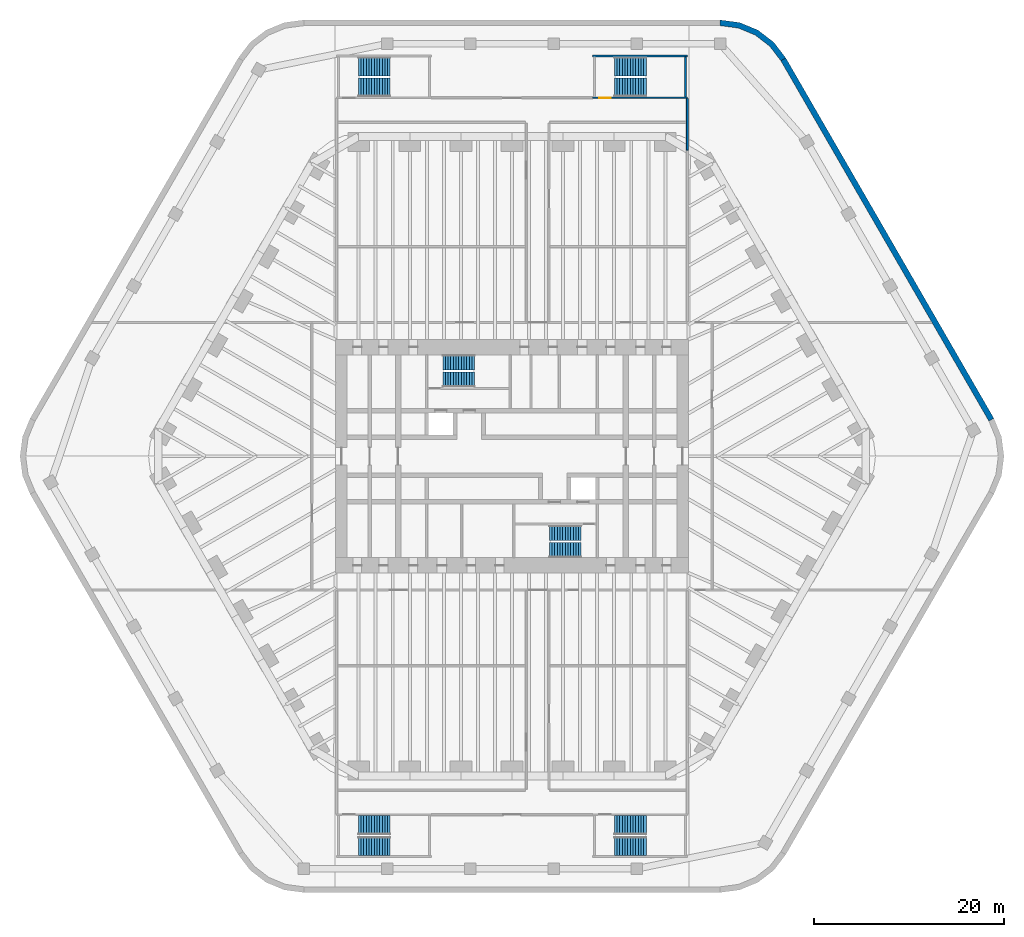
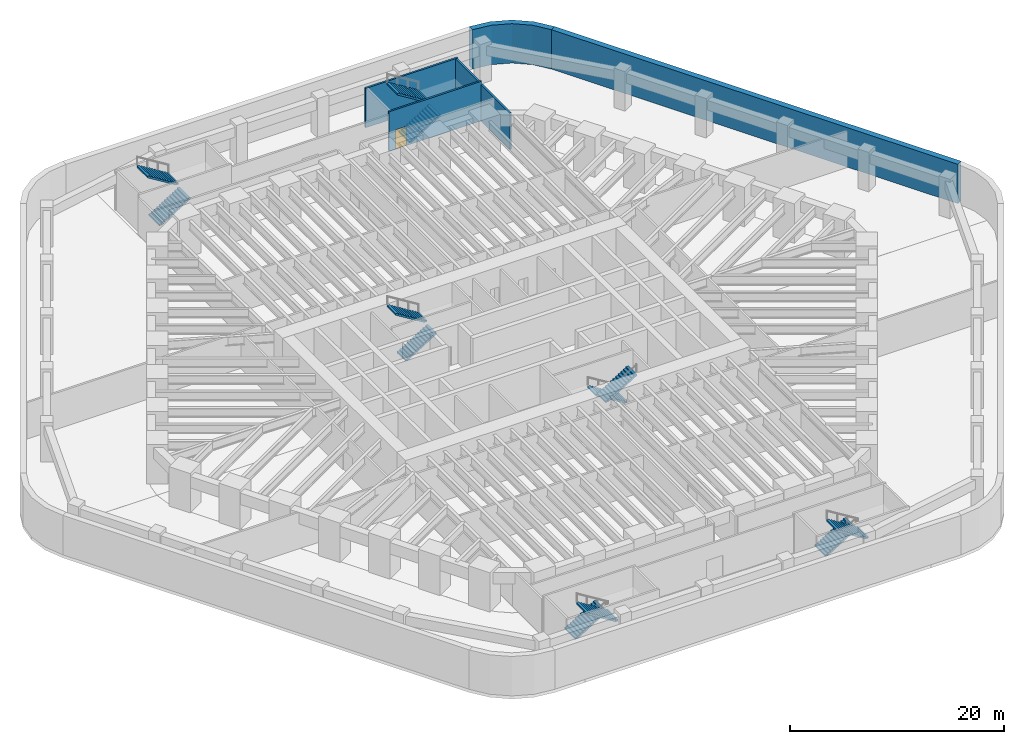
# One storey, part 11 of 12: 12 stair flights, 6 walls, 1 door, 1 opening, 6 elements without a shape of their own.
"""IFC4 building model written with IfcOpenShell, lengths in metres."""

from ifc_helpers import new_model, si_unit, direction, frame, frame_2d, origin, place, context, subcontext, project, spatial, polyline, rectangle, outline, extrude, material, layer, layer_set, type_object, element, fill, aggregate, save


model = new_model("IFC4")

# Units and contexts
model_context = context("Model", 3, precision=1e-05, world=origin(), true_north=direction((0.0, 1.0)))
body_context = subcontext(model_context, "Body", "Model", "MODEL_VIEW")
ifc_project = project(units=[si_unit("LENGTHUNIT", "METRE"), si_unit("AREAUNIT", "SQUARE_METRE"), si_unit("VOLUMEUNIT", "CUBIC_METRE"), si_unit("PLANEANGLEUNIT", "RADIAN"), si_unit("MASSUNIT", "GRAM", prefix="KILO")], contexts=[model_context])

# Site, building, storey
site_placement = place(None, origin())
site = spatial("IfcSite", under=ifc_project, at=site_placement, CompositionType="ELEMENT")
building_placement = place(site_placement, origin())
building = spatial("IfcBuilding", under=site, at=building_placement, Name="Tarfa Lantern Tower", CompositionType="ELEMENT")
storey_placement = place(building_placement, frame((0.0, 0.0, -4.5)))
storey = spatial("IfcBuildingStorey", under=building, at=storey_placement, Name="B1", CompositionType="ELEMENT", Elevation=-4.5)

# Walls
ifc_material_1 = material(Name="Concrete blockwork", Category="masonry")
ifc_layer_1 = layer(ifc_material_1, 0.199951171875)
ifc_layer_set_1 = layer_set([ifc_layer_1], Name="IW1 BLOCKWORK PARTITION 200 EI 120")
wall_type_1 = type_object("IfcWallType", Name="IW1 BLOCKWORK PARTITION 200 EI 120", PredefinedType="PARTITIONING", material=ifc_layer_set_1)
wall_1_placement = place(storey_placement, frame((18.5, 32.290283203125, 0.0), z_axis=(0.0, 0.0, 1.0), x_axis=(0.0, 1.0, 0.0)))
element("IfcWall", 1, at=wall_1_placement, inside=storey, type_object=wall_type_1, Name="Fire-rated partition", PredefinedType="PARTITIONING", context=body_context, shape_type="SweptSolid", body=[
    extrude(rectangle(XDim=5.40966796875, YDim=0.199951171875, at=frame_2d((2.704833984375, 0.0))), origin(), (0.0, 0.0, 1.0), 4.14990234375),
])
ifc_material_2 = material(Name="Concrete C50/60", Category="concrete")
ifc_layer_2 = layer(ifc_material_2, 0.60009765625)
ifc_layer_set_2 = layer_set([ifc_layer_2], Name="RW1 RETAINING WALL 600")
wall_type_2 = type_object("IfcWallType", Name="RW1 RETAINING WALL 600", PredefinedType="SOLIDWALL", material=ifc_layer_set_2)
wall_2_placement = place(storey_placement, frame((50.547119140625, 3.85009765625, 0.0), z_axis=(0.0, 0.0, 1.0), x_axis=(-0.500002442456, 0.866023993627, 0.0)))
element("IfcWall", 2, at=wall_2_placement, inside=storey, type_object=wall_type_2, Name="Retaining wall NE", PredefinedType="SOLIDWALL", context=body_context, shape_type="SweptSolid", body=[
    extrude(rectangle(XDim=43.878662109375, YDim=0.60009765625, at=frame_2d((21.939453125, 0.0))), origin(), (0.0, 0.0, 1.0), 4.5),
])
wall_3_placement = place(storey_placement, origin())
element("IfcWall", 3, at=wall_3_placement, inside=storey, type_object=wall_type_2, Name="Retaining wall corner NE", PredefinedType="SOLIDWALL", context=body_context, shape_type="SweptSolid", body=[
    extrude(outline(polyline([(28.867431640625, 42.0), (27.59619140625, 43.65673828125), (25.939208984375, 44.92822265625), (24.009765625, 45.727294921875), (21.939208984375, 46.0), (21.939208984375, 45.39990234375), (23.8544921875, 45.14794921875), (25.639404296875, 44.40869140625), (27.171875, 43.232666015625), (28.347900390625, 41.699951171875), (28.867431640625, 42.0)])), origin(), (0.0, 0.0, 1.0), 4.5),
])

# Wall, opening, door
ifc_material_3 = material(Name="Concrete C80/95", Category="concrete")
ifc_layer_3 = layer(ifc_material_3, 0.199951171875)
ifc_layer_set_3 = layer_set([ifc_layer_3], Name="SW12 CORE WALL 200")
wall_type_3 = type_object("IfcWallType", Name="SW12 CORE WALL 200", PredefinedType="SHEAR", material=ifc_layer_set_3)
wall_4_placement = place(storey_placement, frame((8.5, 37.800048828125, 0.0), z_axis=(0.0, 0.0, 1.0), x_axis=(1.0, 0.0, 0.0)))
wall_4 = element("IfcWall", 4, at=wall_4_placement, inside=storey, type_object=wall_type_3, Name="Stair ST3 shaft wall", PredefinedType="SHEAR", context=body_context, shape_type="SweptSolid", body=[
    extrude(rectangle(XDim=10.0, YDim=0.199951171875, at=frame_2d((5.0, 0.0))), origin(), (0.0, 0.0, 1.0), 4.5),
])
opening_placement = place(wall_4_placement, frame((0.699951171875, 0.0, 0.0)))
opening = element("IfcOpeningElement", 5, at=opening_placement, cuts=wall_4, Name="Opening D29", PredefinedType="OPENING", context=body_context, shape_type="SweptSolid", body=[
    extrude(rectangle(XDim=1.199951171875, YDim=2.199951171875, at=frame_2d((0.60009765625, 1.10009765625))), frame((0.0, 0.10986328125, 0.0), z_axis=(0.0, -1.0, 0.0), x_axis=(1.0, 0.0, 0.0)), (0.0, 0.0, 1.0), 0.219970703125),
])
ifc_material_4 = material(Name="Steel fire door", Category="steel")
door_type = type_object("IfcDoorType", Name="DF9 STAIR DOOR 1200x2200", OperationType="SINGLE_SWING_LEFT", PredefinedType="DOOR", material=ifc_material_4)
door_placement = place(opening_placement, origin())
door = element("IfcDoor", 6, at=door_placement, inside=storey, type_object=door_type, Name="Stair door", OperationType="SINGLE_SWING_RIGHT", OverallHeight=2.199951171875, OverallWidth=1.199951171875, PredefinedType="DOOR", context=body_context, shape_type="SweptSolid", body=[
    extrude(rectangle(XDim=1.199951171875, YDim=2.199951171875, at=frame_2d((0.60009765625, 1.10009765625))), frame((0.0, 0.02490234375, 0.0), z_axis=(0.0, -1.0, 0.0), x_axis=(1.0, 0.0, 0.0)), (0.0, 0.0, 1.0), 0.050048828125),
])
fill(opening, door)

# Walls
wall_5_placement = place(storey_placement, frame((18.5, 42.199951171875, 0.0), z_axis=(0.0, 0.0, 1.0), x_axis=(-1.0, 0.0, 0.0)))
element("IfcWall", 7, at=wall_5_placement, inside=storey, type_object=wall_type_3, Name="Stair ST3 shaft wall", PredefinedType="SHEAR", context=body_context, shape_type="SweptSolid", body=[
    extrude(rectangle(XDim=10.0, YDim=0.199951171875, at=frame_2d((5.0, 0.0))), origin(), (0.0, 0.0, 1.0), 4.5),
])
wall_6_placement = place(storey_placement, frame((18.300048828125, 37.89990234375, 0.0), z_axis=(0.0, 0.0, 1.0), x_axis=(0.0, 1.0, 0.0)))
element("IfcWall", 8, at=wall_6_placement, inside=storey, type_object=wall_type_3, Name="Stair ST3 shaft wall", PredefinedType="SHEAR", context=body_context, shape_type="SweptSolid", body=[
    extrude(rectangle(XDim=4.2001953125, YDim=0.199951171875, at=frame_2d((2.10009765625, 0.0))), origin(), (0.0, 0.0, 1.0), 4.5),
])

# Stair, stair flights
ifc_material_5 = material(Name="Concrete C40/50", Category="concrete")
stair_type_1 = type_object("IfcStairType", Name="ST-T1 HALF-TURN STAIR 4500 RISE", PredefinedType="HALF_TURN_STAIR", material=ifc_material_5)
stair_1_placement = place(storey_placement, origin())
stair_1 = element("IfcStair", 9, at=stair_1_placement, inside=storey, type_object=stair_type_1, Name="Stair ST1", PredefinedType="HALF_TURN_STAIR")
stair_flight_type = type_object("IfcStairFlightType", Name="SF1 STAIR FLIGHT", PredefinedType="STRAIGHT", material=ifc_material_5)
stair_flight_1_placement = place(storey_placement, frame((-7.300048828125, 8.10009765625, 0.0), z_axis=(0.0, 0.0, 1.0), x_axis=(1.0, 0.0, 0.0)))
stair_flight_1 = element("IfcStairFlight", 10, at=stair_flight_1_placement, type_object=stair_flight_type, Name="ST1 flight 1", NumberOfRisers=13, NumberOfTreads=12, PredefinedType="STRAIGHT", RiserHeight=0.173076923, TreadLength=0.28, context=body_context, shape_type="SweptSolid", body=[
    extrude(outline(polyline([(0.0, 0.0), (0.0, 0.173095703125), (0.280029296875, 0.173095703125), (0.280029296875, 0.34619140625), (0.56005859375, 0.34619140625), (0.56005859375, 0.519287109375), (0.840087890625, 0.519287109375), (0.840087890625, 0.6923828125), (1.1201171875, 0.6923828125), (1.1201171875, 0.865478515625), (1.39990234375, 0.865478515625), (1.39990234375, 1.03857421875), (1.679931640625, 1.03857421875), (1.679931640625, 1.21142578125), (1.9599609375, 1.21142578125), (1.9599609375, 1.384521484375), (2.239990234375, 1.384521484375), (2.239990234375, 1.5576171875), (2.52001953125, 1.5576171875), (2.52001953125, 1.730712890625), (2.800048828125, 1.730712890625), (2.800048828125, 1.90380859375), (3.080078125, 1.90380859375), (3.080078125, 2.076904296875), (3.360107421875, 2.076904296875), (3.360107421875, 2.25), (3.360107421875, 1.900634765625), (0.28515625, 0.0), (0.0, 0.0)])), frame((0.0, 0.800048828125, 0.0), z_axis=(0.0, -1.0, 0.0), x_axis=(1.0, 0.0, 0.0)), (0.0, 0.0, 1.0), 1.60009765625),
])
stair_flight_2_placement = place(storey_placement, frame((-3.93994140625, 9.89990234375, 2.25), z_axis=(0.0, 0.0, 1.0), x_axis=(-1.0, 0.0, 0.0)))
stair_flight_2 = element("IfcStairFlight", 11, at=stair_flight_2_placement, type_object=stair_flight_type, Name="ST1 flight 2", NumberOfRisers=13, NumberOfTreads=12, PredefinedType="STRAIGHT", RiserHeight=0.173076923, TreadLength=0.28, context=body_context, shape_type="SweptSolid", body=[
    extrude(outline(polyline([(0.0, 0.0), (0.0, 0.173095703125), (0.280029296875, 0.173095703125), (0.280029296875, 0.34619140625), (0.56005859375, 0.34619140625), (0.56005859375, 0.519287109375), (0.840087890625, 0.519287109375), (0.840087890625, 0.6923828125), (1.1201171875, 0.6923828125), (1.1201171875, 0.865478515625), (1.39990234375, 0.865478515625), (1.39990234375, 1.03857421875), (1.679931640625, 1.03857421875), (1.679931640625, 1.21142578125), (1.9599609375, 1.21142578125), (1.9599609375, 1.384521484375), (2.239990234375, 1.384521484375), (2.239990234375, 1.5576171875), (2.52001953125, 1.5576171875), (2.52001953125, 1.730712890625), (2.800048828125, 1.730712890625), (2.800048828125, 1.90380859375), (3.080078125, 1.90380859375), (3.080078125, 2.076904296875), (3.360107421875, 2.076904296875), (3.360107421875, 2.25), (3.360107421875, 1.900634765625), (0.28515625, 0.0), (0.0, 0.0)])), frame((0.0, 0.800048828125, 0.0), z_axis=(0.0, -1.0, 0.0), x_axis=(1.0, 0.0, 0.0)), (0.0, 0.0, 1.0), 1.60009765625),
])
aggregate(stair_1, [stair_flight_1, stair_flight_2])

stair_2_placement = place(storey_placement, origin())
stair_2 = element("IfcStair", 12, at=stair_2_placement, inside=storey, type_object=stair_type_1, Name="Stair ST2", PredefinedType="HALF_TURN_STAIR")
stair_flight_3_placement = place(storey_placement, frame((7.300048828125, -8.10009765625, 0.0), z_axis=(0.0, 0.0, 1.0), x_axis=(-1.0, 0.0, 0.0)))
stair_flight_3 = element("IfcStairFlight", 13, at=stair_flight_3_placement, type_object=stair_flight_type, Name="ST2 flight 1", NumberOfRisers=13, NumberOfTreads=12, PredefinedType="STRAIGHT", RiserHeight=0.173076923, TreadLength=0.28, context=body_context, shape_type="SweptSolid", body=[
    extrude(outline(polyline([(0.0, 0.0), (0.0, 0.173095703125), (0.280029296875, 0.173095703125), (0.280029296875, 0.34619140625), (0.56005859375, 0.34619140625), (0.56005859375, 0.519287109375), (0.840087890625, 0.519287109375), (0.840087890625, 0.6923828125), (1.1201171875, 0.6923828125), (1.1201171875, 0.865478515625), (1.39990234375, 0.865478515625), (1.39990234375, 1.03857421875), (1.679931640625, 1.03857421875), (1.679931640625, 1.21142578125), (1.9599609375, 1.21142578125), (1.9599609375, 1.384521484375), (2.239990234375, 1.384521484375), (2.239990234375, 1.5576171875), (2.52001953125, 1.5576171875), (2.52001953125, 1.730712890625), (2.800048828125, 1.730712890625), (2.800048828125, 1.90380859375), (3.080078125, 1.90380859375), (3.080078125, 2.076904296875), (3.360107421875, 2.076904296875), (3.360107421875, 2.25), (3.360107421875, 1.900634765625), (0.28515625, 0.0), (0.0, 0.0)])), frame((0.0, 0.800048828125, 0.0), z_axis=(0.0, -1.0, 0.0), x_axis=(1.0, 0.0, 0.0)), (0.0, 0.0, 1.0), 1.60009765625),
])
stair_flight_4_placement = place(storey_placement, frame((3.93994140625, -9.89990234375, 2.25), z_axis=(0.0, 0.0, 1.0), x_axis=(1.0, 0.0, 0.0)))
stair_flight_4 = element("IfcStairFlight", 14, at=stair_flight_4_placement, type_object=stair_flight_type, Name="ST2 flight 2", NumberOfRisers=13, NumberOfTreads=12, PredefinedType="STRAIGHT", RiserHeight=0.173076923, TreadLength=0.28, context=body_context, shape_type="SweptSolid", body=[
    extrude(outline(polyline([(0.0, 0.0), (0.0, 0.173095703125), (0.280029296875, 0.173095703125), (0.280029296875, 0.34619140625), (0.56005859375, 0.34619140625), (0.56005859375, 0.519287109375), (0.840087890625, 0.519287109375), (0.840087890625, 0.6923828125), (1.1201171875, 0.6923828125), (1.1201171875, 0.865478515625), (1.39990234375, 0.865478515625), (1.39990234375, 1.03857421875), (1.679931640625, 1.03857421875), (1.679931640625, 1.21142578125), (1.9599609375, 1.21142578125), (1.9599609375, 1.384521484375), (2.239990234375, 1.384521484375), (2.239990234375, 1.5576171875), (2.52001953125, 1.5576171875), (2.52001953125, 1.730712890625), (2.800048828125, 1.730712890625), (2.800048828125, 1.90380859375), (3.080078125, 1.90380859375), (3.080078125, 2.076904296875), (3.360107421875, 2.076904296875), (3.360107421875, 2.25), (3.360107421875, 1.900634765625), (0.28515625, 0.0), (0.0, 0.0)])), frame((0.0, 0.800048828125, 0.0), z_axis=(0.0, -1.0, 0.0), x_axis=(1.0, 0.0, 0.0)), (0.0, 0.0, 1.0), 1.60009765625),
])
aggregate(stair_2, [stair_flight_3, stair_flight_4])

stair_type_2 = type_object("IfcStairType", Name="ST-T2 HALF-TURN STAIR 4500 RISE", PredefinedType="HALF_TURN_STAIR", material=ifc_material_5)
stair_3_placement = place(storey_placement, origin())
stair_3 = element("IfcStair", 15, at=stair_3_placement, inside=storey, type_object=stair_type_2, Name="Stair ST3", PredefinedType="HALF_TURN_STAIR")
stair_flight_5_placement = place(storey_placement, frame((10.800048828125, 38.89990234375, 0.0), z_axis=(0.0, 0.0, 1.0), x_axis=(1.0, 0.0, 0.0)))
stair_flight_5 = element("IfcStairFlight", 16, at=stair_flight_5_placement, type_object=stair_flight_type, Name="ST3 flight 1", NumberOfRisers=13, NumberOfTreads=12, PredefinedType="STRAIGHT", RiserHeight=0.173076923, TreadLength=0.28, context=body_context, shape_type="SweptSolid", body=[
    extrude(outline(polyline([(0.0, 0.0), (0.0, 0.173095703125), (0.280029296875, 0.173095703125), (0.280029296875, 0.34619140625), (0.56005859375, 0.34619140625), (0.56005859375, 0.519287109375), (0.840087890625, 0.519287109375), (0.840087890625, 0.6923828125), (1.1201171875, 0.6923828125), (1.1201171875, 0.865478515625), (1.39990234375, 0.865478515625), (1.39990234375, 1.03857421875), (1.679931640625, 1.03857421875), (1.679931640625, 1.21142578125), (1.9599609375, 1.21142578125), (1.9599609375, 1.384521484375), (2.239990234375, 1.384521484375), (2.239990234375, 1.5576171875), (2.52001953125, 1.5576171875), (2.52001953125, 1.730712890625), (2.800048828125, 1.730712890625), (2.800048828125, 1.90380859375), (3.080078125, 1.90380859375), (3.080078125, 2.076904296875), (3.360107421875, 2.076904296875), (3.360107421875, 2.25), (3.360107421875, 1.900634765625), (0.28515625, 0.0), (0.0, 0.0)])), frame((0.0, 1.0, 0.0), z_axis=(0.0, -1.0, 0.0), x_axis=(1.0, 0.0, 0.0)), (0.0, 0.0, 1.0), 2.0),
])
stair_flight_6_placement = place(storey_placement, frame((14.159912109375, 41.10009765625, 2.25), z_axis=(0.0, 0.0, 1.0), x_axis=(-1.0, 0.0, 0.0)))
stair_flight_6 = element("IfcStairFlight", 17, at=stair_flight_6_placement, type_object=stair_flight_type, Name="ST3 flight 2", NumberOfRisers=13, NumberOfTreads=12, PredefinedType="STRAIGHT", RiserHeight=0.173076923, TreadLength=0.28, context=body_context, shape_type="SweptSolid", body=[
    extrude(outline(polyline([(0.0, 0.0), (0.0, 0.173095703125), (0.280029296875, 0.173095703125), (0.280029296875, 0.34619140625), (0.56005859375, 0.34619140625), (0.56005859375, 0.519287109375), (0.840087890625, 0.519287109375), (0.840087890625, 0.6923828125), (1.1201171875, 0.6923828125), (1.1201171875, 0.865478515625), (1.39990234375, 0.865478515625), (1.39990234375, 1.03857421875), (1.679931640625, 1.03857421875), (1.679931640625, 1.21142578125), (1.9599609375, 1.21142578125), (1.9599609375, 1.384521484375), (2.239990234375, 1.384521484375), (2.239990234375, 1.5576171875), (2.52001953125, 1.5576171875), (2.52001953125, 1.730712890625), (2.800048828125, 1.730712890625), (2.800048828125, 1.90380859375), (3.080078125, 1.90380859375), (3.080078125, 2.076904296875), (3.360107421875, 2.076904296875), (3.360107421875, 2.25), (3.360107421875, 1.900634765625), (0.28515625, 0.0), (0.0, 0.0)])), frame((0.0, 1.0, 0.0), z_axis=(0.0, -1.0, 0.0), x_axis=(1.0, 0.0, 0.0)), (0.0, 0.0, 1.0), 2.0),
])
aggregate(stair_3, [stair_flight_5, stair_flight_6])

stair_4_placement = place(storey_placement, origin())
stair_4 = element("IfcStair", 18, at=stair_4_placement, inside=storey, type_object=stair_type_2, Name="Stair ST4", PredefinedType="HALF_TURN_STAIR")
stair_flight_7_placement = place(storey_placement, frame((-16.199951171875, 38.89990234375, 0.0), z_axis=(0.0, 0.0, 1.0), x_axis=(1.0, 0.0, 0.0)))
stair_flight_7 = element("IfcStairFlight", 19, at=stair_flight_7_placement, type_object=stair_flight_type, Name="ST4 flight 1", NumberOfRisers=13, NumberOfTreads=12, PredefinedType="STRAIGHT", RiserHeight=0.173076923, TreadLength=0.28, context=body_context, shape_type="SweptSolid", body=[
    extrude(outline(polyline([(0.0, 0.0), (0.0, 0.173095703125), (0.280029296875, 0.173095703125), (0.280029296875, 0.34619140625), (0.56005859375, 0.34619140625), (0.56005859375, 0.519287109375), (0.840087890625, 0.519287109375), (0.840087890625, 0.6923828125), (1.1201171875, 0.6923828125), (1.1201171875, 0.865478515625), (1.39990234375, 0.865478515625), (1.39990234375, 1.03857421875), (1.679931640625, 1.03857421875), (1.679931640625, 1.21142578125), (1.9599609375, 1.21142578125), (1.9599609375, 1.384521484375), (2.239990234375, 1.384521484375), (2.239990234375, 1.5576171875), (2.52001953125, 1.5576171875), (2.52001953125, 1.730712890625), (2.800048828125, 1.730712890625), (2.800048828125, 1.90380859375), (3.080078125, 1.90380859375), (3.080078125, 2.076904296875), (3.360107421875, 2.076904296875), (3.360107421875, 2.25), (3.360107421875, 1.900634765625), (0.28515625, 0.0), (0.0, 0.0)])), frame((0.0, 1.0, 0.0), z_axis=(0.0, -1.0, 0.0), x_axis=(1.0, 0.0, 0.0)), (0.0, 0.0, 1.0), 2.0),
])
stair_flight_8_placement = place(storey_placement, frame((-12.840087890625, 41.10009765625, 2.25), z_axis=(0.0, 0.0, 1.0), x_axis=(-1.0, 0.0, 0.0)))
stair_flight_8 = element("IfcStairFlight", 20, at=stair_flight_8_placement, type_object=stair_flight_type, Name="ST4 flight 2", NumberOfRisers=13, NumberOfTreads=12, PredefinedType="STRAIGHT", RiserHeight=0.173076923, TreadLength=0.28, context=body_context, shape_type="SweptSolid", body=[
    extrude(outline(polyline([(0.0, 0.0), (0.0, 0.173095703125), (0.280029296875, 0.173095703125), (0.280029296875, 0.34619140625), (0.56005859375, 0.34619140625), (0.56005859375, 0.519287109375), (0.840087890625, 0.519287109375), (0.840087890625, 0.6923828125), (1.1201171875, 0.6923828125), (1.1201171875, 0.865478515625), (1.39990234375, 0.865478515625), (1.39990234375, 1.03857421875), (1.679931640625, 1.03857421875), (1.679931640625, 1.21142578125), (1.9599609375, 1.21142578125), (1.9599609375, 1.384521484375), (2.239990234375, 1.384521484375), (2.239990234375, 1.5576171875), (2.52001953125, 1.5576171875), (2.52001953125, 1.730712890625), (2.800048828125, 1.730712890625), (2.800048828125, 1.90380859375), (3.080078125, 1.90380859375), (3.080078125, 2.076904296875), (3.360107421875, 2.076904296875), (3.360107421875, 2.25), (3.360107421875, 1.900634765625), (0.28515625, 0.0), (0.0, 0.0)])), frame((0.0, 1.0, 0.0), z_axis=(0.0, -1.0, 0.0), x_axis=(1.0, 0.0, 0.0)), (0.0, 0.0, 1.0), 2.0),
])
aggregate(stair_4, [stair_flight_7, stair_flight_8])

stair_5_placement = place(storey_placement, origin())
stair_5 = element("IfcStair", 21, at=stair_5_placement, inside=storey, type_object=stair_type_2, Name="Stair ST5", PredefinedType="HALF_TURN_STAIR")
stair_flight_9_placement = place(storey_placement, frame((-16.199951171875, -38.89990234375, 0.0), z_axis=(0.0, 0.0, 1.0), x_axis=(1.0, 0.0, 0.0)))
stair_flight_9 = element("IfcStairFlight", 22, at=stair_flight_9_placement, type_object=stair_flight_type, Name="ST5 flight 1", NumberOfRisers=13, NumberOfTreads=12, PredefinedType="STRAIGHT", RiserHeight=0.173076923, TreadLength=0.28, context=body_context, shape_type="SweptSolid", body=[
    extrude(outline(polyline([(0.0, 0.0), (0.0, 0.173095703125), (0.280029296875, 0.173095703125), (0.280029296875, 0.34619140625), (0.56005859375, 0.34619140625), (0.56005859375, 0.519287109375), (0.840087890625, 0.519287109375), (0.840087890625, 0.6923828125), (1.1201171875, 0.6923828125), (1.1201171875, 0.865478515625), (1.39990234375, 0.865478515625), (1.39990234375, 1.03857421875), (1.679931640625, 1.03857421875), (1.679931640625, 1.21142578125), (1.9599609375, 1.21142578125), (1.9599609375, 1.384521484375), (2.239990234375, 1.384521484375), (2.239990234375, 1.5576171875), (2.52001953125, 1.5576171875), (2.52001953125, 1.730712890625), (2.800048828125, 1.730712890625), (2.800048828125, 1.90380859375), (3.080078125, 1.90380859375), (3.080078125, 2.076904296875), (3.360107421875, 2.076904296875), (3.360107421875, 2.25), (3.360107421875, 1.900634765625), (0.28515625, 0.0), (0.0, 0.0)])), frame((0.0, 1.0, 0.0), z_axis=(0.0, -1.0, 0.0), x_axis=(1.0, 0.0, 0.0)), (0.0, 0.0, 1.0), 2.0),
])
stair_flight_10_placement = place(storey_placement, frame((-12.840087890625, -41.10009765625, 2.25), z_axis=(0.0, 0.0, 1.0), x_axis=(-1.0, 0.0, 0.0)))
stair_flight_10 = element("IfcStairFlight", 23, at=stair_flight_10_placement, type_object=stair_flight_type, Name="ST5 flight 2", NumberOfRisers=13, NumberOfTreads=12, PredefinedType="STRAIGHT", RiserHeight=0.173076923, TreadLength=0.28, context=body_context, shape_type="SweptSolid", body=[
    extrude(outline(polyline([(0.0, 0.0), (0.0, 0.173095703125), (0.280029296875, 0.173095703125), (0.280029296875, 0.34619140625), (0.56005859375, 0.34619140625), (0.56005859375, 0.519287109375), (0.840087890625, 0.519287109375), (0.840087890625, 0.6923828125), (1.1201171875, 0.6923828125), (1.1201171875, 0.865478515625), (1.39990234375, 0.865478515625), (1.39990234375, 1.03857421875), (1.679931640625, 1.03857421875), (1.679931640625, 1.21142578125), (1.9599609375, 1.21142578125), (1.9599609375, 1.384521484375), (2.239990234375, 1.384521484375), (2.239990234375, 1.5576171875), (2.52001953125, 1.5576171875), (2.52001953125, 1.730712890625), (2.800048828125, 1.730712890625), (2.800048828125, 1.90380859375), (3.080078125, 1.90380859375), (3.080078125, 2.076904296875), (3.360107421875, 2.076904296875), (3.360107421875, 2.25), (3.360107421875, 1.900634765625), (0.28515625, 0.0), (0.0, 0.0)])), frame((0.0, 1.0, 0.0), z_axis=(0.0, -1.0, 0.0), x_axis=(1.0, 0.0, 0.0)), (0.0, 0.0, 1.0), 2.0),
])
aggregate(stair_5, [stair_flight_9, stair_flight_10])

stair_6_placement = place(storey_placement, origin())
stair_6 = element("IfcStair", 24, at=stair_6_placement, inside=storey, type_object=stair_type_2, Name="Stair ST6", PredefinedType="HALF_TURN_STAIR")
stair_flight_11_placement = place(storey_placement, frame((10.800048828125, -38.89990234375, 0.0), z_axis=(0.0, 0.0, 1.0), x_axis=(1.0, 0.0, 0.0)))
stair_flight_11 = element("IfcStairFlight", 25, at=stair_flight_11_placement, type_object=stair_flight_type, Name="ST6 flight 1", NumberOfRisers=13, NumberOfTreads=12, PredefinedType="STRAIGHT", RiserHeight=0.173076923, TreadLength=0.28, context=body_context, shape_type="SweptSolid", body=[
    extrude(outline(polyline([(0.0, 0.0), (0.0, 0.173095703125), (0.280029296875, 0.173095703125), (0.280029296875, 0.34619140625), (0.56005859375, 0.34619140625), (0.56005859375, 0.519287109375), (0.840087890625, 0.519287109375), (0.840087890625, 0.6923828125), (1.1201171875, 0.6923828125), (1.1201171875, 0.865478515625), (1.39990234375, 0.865478515625), (1.39990234375, 1.03857421875), (1.679931640625, 1.03857421875), (1.679931640625, 1.21142578125), (1.9599609375, 1.21142578125), (1.9599609375, 1.384521484375), (2.239990234375, 1.384521484375), (2.239990234375, 1.5576171875), (2.52001953125, 1.5576171875), (2.52001953125, 1.730712890625), (2.800048828125, 1.730712890625), (2.800048828125, 1.90380859375), (3.080078125, 1.90380859375), (3.080078125, 2.076904296875), (3.360107421875, 2.076904296875), (3.360107421875, 2.25), (3.360107421875, 1.900634765625), (0.28515625, 0.0), (0.0, 0.0)])), frame((0.0, 1.0, 0.0), z_axis=(0.0, -1.0, 0.0), x_axis=(1.0, 0.0, 0.0)), (0.0, 0.0, 1.0), 2.0),
])
stair_flight_12_placement = place(storey_placement, frame((14.159912109375, -41.10009765625, 2.25), z_axis=(0.0, 0.0, 1.0), x_axis=(-1.0, 0.0, 0.0)))
stair_flight_12 = element("IfcStairFlight", 26, at=stair_flight_12_placement, type_object=stair_flight_type, Name="ST6 flight 2", NumberOfRisers=13, NumberOfTreads=12, PredefinedType="STRAIGHT", RiserHeight=0.173076923, TreadLength=0.28, context=body_context, shape_type="SweptSolid", body=[
    extrude(outline(polyline([(0.0, 0.0), (0.0, 0.173095703125), (0.280029296875, 0.173095703125), (0.280029296875, 0.34619140625), (0.56005859375, 0.34619140625), (0.56005859375, 0.519287109375), (0.840087890625, 0.519287109375), (0.840087890625, 0.6923828125), (1.1201171875, 0.6923828125), (1.1201171875, 0.865478515625), (1.39990234375, 0.865478515625), (1.39990234375, 1.03857421875), (1.679931640625, 1.03857421875), (1.679931640625, 1.21142578125), (1.9599609375, 1.21142578125), (1.9599609375, 1.384521484375), (2.239990234375, 1.384521484375), (2.239990234375, 1.5576171875), (2.52001953125, 1.5576171875), (2.52001953125, 1.730712890625), (2.800048828125, 1.730712890625), (2.800048828125, 1.90380859375), (3.080078125, 1.90380859375), (3.080078125, 2.076904296875), (3.360107421875, 2.076904296875), (3.360107421875, 2.25), (3.360107421875, 1.900634765625), (0.28515625, 0.0), (0.0, 0.0)])), frame((0.0, 1.0, 0.0), z_axis=(0.0, -1.0, 0.0), x_axis=(1.0, 0.0, 0.0)), (0.0, 0.0, 1.0), 2.0),
])
aggregate(stair_6, [stair_flight_11, stair_flight_12])

save(model, "model.ifc")
